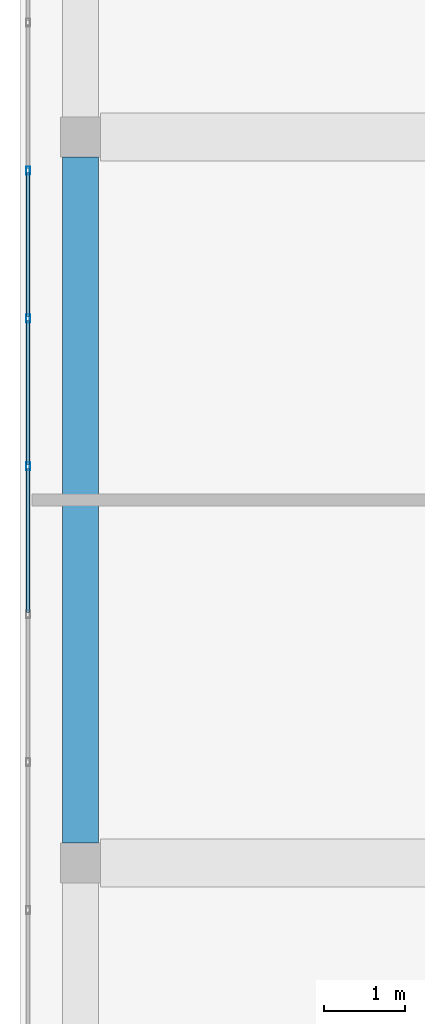
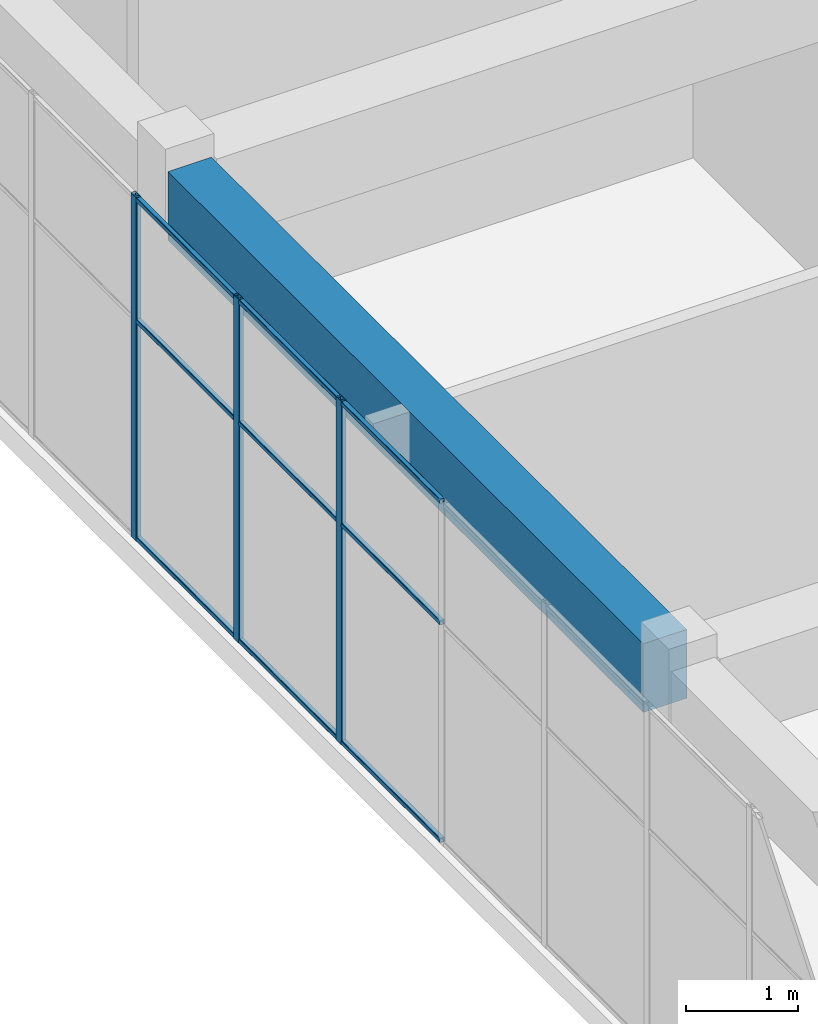
# One storey, part 12 of 34: 12 members, 1 beam, 1 element without a shape of its own.
"""IFC4 building model written with IfcOpenShell, lengths in metres."""

from ifc_helpers import new_model, si_unit, direction, frame, origin, origin_2d, place, context, subcontext, project, spatial, rectangle, hollow_rectangle, extrude, material, layer, layer_set, material_profile, profile_set, type_object, element, aggregate, save


model = new_model("IFC4")

# Units and contexts
model_context = context("Model", 3, precision=1e-05, world=origin(), true_north=direction((0.0, 1.0)))
body_context = subcontext(model_context, "Body", "Model", "MODEL_VIEW")
ifc_project = project(units=[si_unit("LENGTHUNIT", "METRE"), si_unit("AREAUNIT", "SQUARE_METRE"), si_unit("VOLUMEUNIT", "CUBIC_METRE"), si_unit("PLANEANGLEUNIT", "RADIAN"), si_unit("MASSUNIT", "GRAM", prefix="KILO")], contexts=[model_context])

# Site, building, storey
site_placement = place(None, origin())
site = spatial("IfcSite", under=ifc_project, at=site_placement, CompositionType="ELEMENT")
building_placement = place(site_placement, origin())
building = spatial("IfcBuilding", under=site, at=building_placement, Name="Tuart Plaza Theatre", CompositionType="ELEMENT")
storey_placement = place(building_placement, frame((0.0, 0.0, 57.5)))
storey = spatial("IfcBuildingStorey", under=building, at=storey_placement, Name="L14", CompositionType="ELEMENT", Elevation=57.5)

# Beam
ifc_material_1 = material(Name="Concrete N40 (40 MPa)", Category="concrete")
ifc_material_profile_1 = material_profile(ifc_material_1, rectangle(XDim=0.449951171875, YDim=0.75, at=origin_2d()), Name="BEAM 450x750 Concrete N40 (40 MPa)")
ifc_profile_set_1 = profile_set([ifc_material_profile_1], Name="Concrete N40 (40 MPa)")
beam_type = type_object("IfcBeamType", Name="BEAM 450x750 Concrete N40 (40 MPa)", PredefinedType="BEAM", material=ifc_profile_set_1)
beam_placement = place(storey_placement, frame((114.0, 74.25, 3.375), z_axis=(0.0, 1.0, 0.0), x_axis=(-1.0, 0.0, 0.0)))
element("IfcBeam", 1, at=beam_placement, inside=storey, type_object=beam_type, Name="RB320", PredefinedType="BEAM", context=body_context, shape_type="SweptSolid", body=[
    extrude(rectangle(XDim=0.449951171875, YDim=0.75, at=origin_2d()), origin(), (0.0, 0.0, 1.0), 8.5),
])

# Curtain wall, members
ifc_material_2 = material(Name="Aluminium and glass", Category="aluminium")
ifc_layer = layer(ifc_material_2, 0.10009765625)
ifc_layer_set = layer_set([ifc_layer], Name="CURTAIN WALL 1800 module")
curtain_wall_type = type_object("IfcCurtainWallType", Name="CURTAIN WALL 1800 module", PredefinedType="NOTDEFINED", material=ifc_layer_set)
curtain_wall_placement = place(storey_placement, origin())
curtain_wall = element("IfcCurtainWall", 2, at=curtain_wall_placement, inside=storey, type_object=curtain_wall_type, Name="CW118", PredefinedType="NOTDEFINED")
ifc_material_3 = material(Name="Aluminium 6063-T5", Category="aluminium")
ifc_material_profile_2 = material_profile(ifc_material_3, hollow_rectangle(XDim=0.050048828125, YDim=0.10009765625, WallThickness=0.00390625, InnerFilletRadius=0.00390625, OuterFilletRadius=0.008056640625, at=origin_2d()), Name="RHS 100x50x4")
ifc_profile_set_2 = profile_set([ifc_material_profile_2], Name="Aluminium 6063-T5")
member_type_1 = type_object("IfcMemberType", Name="MULLION RHS 100x50x4", PredefinedType="MULLION", material=ifc_profile_set_2)
member_1_placement = place(storey_placement, frame((113.35009765625, 82.583251953125, 0.0), z_axis=(0.0, 0.0, 1.0), x_axis=(1.0, 0.0, 0.0)))
member_1 = element("IfcMember", 3, at=member_1_placement, type_object=member_type_1, Name="CW118 mullion 9", PredefinedType="MULLION", context=body_context, shape_type="SweptSolid", body=[
    extrude(hollow_rectangle(XDim=0.050048828125, YDim=0.10009765625, WallThickness=0.00390625, InnerFilletRadius=0.00390625, OuterFilletRadius=0.008056640625, at=origin_2d()), origin(), (0.0, 0.0, 1.0), 3.75),
])
member_2_placement = place(storey_placement, frame((113.35009765625, 80.75, 0.0), z_axis=(0.0, 0.0, 1.0), x_axis=(1.0, 0.0, 0.0)))
member_2 = element("IfcMember", 4, at=member_2_placement, type_object=member_type_1, Name="CW118 mullion 10", PredefinedType="MULLION", context=body_context, shape_type="SweptSolid", body=[
    extrude(hollow_rectangle(XDim=0.050048828125, YDim=0.10009765625, WallThickness=0.00390625, InnerFilletRadius=0.00390625, OuterFilletRadius=0.008056640625, at=origin_2d()), origin(), (0.0, 0.0, 1.0), 3.75),
])
member_3_placement = place(storey_placement, frame((113.35009765625, 78.916748046875, 0.0), z_axis=(0.0, 0.0, 1.0), x_axis=(1.0, 0.0, 0.0)))
member_3 = element("IfcMember", 5, at=member_3_placement, type_object=member_type_1, Name="CW118 mullion 11", PredefinedType="MULLION", context=body_context, shape_type="SweptSolid", body=[
    extrude(hollow_rectangle(XDim=0.050048828125, YDim=0.10009765625, WallThickness=0.00390625, InnerFilletRadius=0.00390625, OuterFilletRadius=0.008056640625, at=origin_2d()), origin(), (0.0, 0.0, 1.0), 3.75),
])
ifc_material_4 = material(Name="Aluminium 6063-T5", Category="aluminium")
ifc_material_profile_3 = material_profile(ifc_material_4, hollow_rectangle(XDim=0.050048828125, YDim=0.050048828125, WallThickness=0.00390625, InnerFilletRadius=0.00390625, OuterFilletRadius=0.008056640625, at=origin_2d()), Name="RHS 50x50x4")
ifc_profile_set_3 = profile_set([ifc_material_profile_3], Name="Aluminium 6063-T5")
member_type_2 = type_object("IfcMemberType", Name="TRANSOM RHS 50x50x4", PredefinedType="USERDEFINED", material=ifc_profile_set_3)
member_4_placement = place(storey_placement, frame((113.35009765625, 82.558349609375, 0.02490234375), z_axis=(0.0, -1.0, 0.0), x_axis=(1.0, 0.0, 0.0)))
member_4 = element("IfcMember", 6, at=member_4_placement, type_object=member_type_2, Name="CW118 transom 9.1", ObjectType="TRANSOM", PredefinedType="USERDEFINED", context=body_context, shape_type="SweptSolid", body=[
    extrude(hollow_rectangle(XDim=0.050048828125, YDim=0.050048828125, WallThickness=0.00390625, InnerFilletRadius=0.00390625, OuterFilletRadius=0.008056640625, at=origin_2d()), origin(), (0.0, 0.0, 1.0), 1.783447265625),
])
member_5_placement = place(storey_placement, frame((113.35009765625, 82.558349609375, 2.39990234375), z_axis=(0.0, -1.0, 0.0), x_axis=(1.0, 0.0, 0.0)))
member_5 = element("IfcMember", 7, at=member_5_placement, type_object=member_type_2, Name="CW118 transom 9.2", ObjectType="TRANSOM", PredefinedType="USERDEFINED", context=body_context, shape_type="SweptSolid", body=[
    extrude(hollow_rectangle(XDim=0.050048828125, YDim=0.050048828125, WallThickness=0.00390625, InnerFilletRadius=0.00390625, OuterFilletRadius=0.008056640625, at=origin_2d()), origin(), (0.0, 0.0, 1.0), 1.783447265625),
])
member_6_placement = place(storey_placement, frame((113.35009765625, 82.558349609375, 3.72509765625), z_axis=(0.0, -1.0, 0.0), x_axis=(1.0, 0.0, 0.0)))
member_6 = element("IfcMember", 8, at=member_6_placement, type_object=member_type_2, Name="CW118 transom 9.3", ObjectType="TRANSOM", PredefinedType="USERDEFINED", context=body_context, shape_type="SweptSolid", body=[
    extrude(hollow_rectangle(XDim=0.050048828125, YDim=0.050048828125, WallThickness=0.00390625, InnerFilletRadius=0.00390625, OuterFilletRadius=0.008056640625, at=origin_2d()), origin(), (0.0, 0.0, 1.0), 1.783447265625),
])
member_7_placement = place(storey_placement, frame((113.35009765625, 80.72509765625, 0.02490234375), z_axis=(0.0, -1.0, 0.0), x_axis=(1.0, 0.0, 0.0)))
member_7 = element("IfcMember", 9, at=member_7_placement, type_object=member_type_2, Name="CW118 transom 10.1", ObjectType="TRANSOM", PredefinedType="USERDEFINED", context=body_context, shape_type="SweptSolid", body=[
    extrude(hollow_rectangle(XDim=0.050048828125, YDim=0.050048828125, WallThickness=0.00390625, InnerFilletRadius=0.00390625, OuterFilletRadius=0.008056640625, at=origin_2d()), origin(), (0.0, 0.0, 1.0), 1.783447265625),
])
member_8_placement = place(storey_placement, frame((113.35009765625, 80.72509765625, 2.39990234375), z_axis=(0.0, -1.0, 0.0), x_axis=(1.0, 0.0, 0.0)))
member_8 = element("IfcMember", 10, at=member_8_placement, type_object=member_type_2, Name="CW118 transom 10.2", ObjectType="TRANSOM", PredefinedType="USERDEFINED", context=body_context, shape_type="SweptSolid", body=[
    extrude(hollow_rectangle(XDim=0.050048828125, YDim=0.050048828125, WallThickness=0.00390625, InnerFilletRadius=0.00390625, OuterFilletRadius=0.008056640625, at=origin_2d()), origin(), (0.0, 0.0, 1.0), 1.783447265625),
])
member_9_placement = place(storey_placement, frame((113.35009765625, 80.72509765625, 3.72509765625), z_axis=(0.0, -1.0, 0.0), x_axis=(1.0, 0.0, 0.0)))
member_9 = element("IfcMember", 11, at=member_9_placement, type_object=member_type_2, Name="CW118 transom 10.3", ObjectType="TRANSOM", PredefinedType="USERDEFINED", context=body_context, shape_type="SweptSolid", body=[
    extrude(hollow_rectangle(XDim=0.050048828125, YDim=0.050048828125, WallThickness=0.00390625, InnerFilletRadius=0.00390625, OuterFilletRadius=0.008056640625, at=origin_2d()), origin(), (0.0, 0.0, 1.0), 1.783447265625),
])
member_10_placement = place(storey_placement, frame((113.35009765625, 78.8916015625, 0.02490234375), z_axis=(0.0, -1.0, 0.0), x_axis=(1.0, 0.0, 0.0)))
member_10 = element("IfcMember", 12, at=member_10_placement, type_object=member_type_2, Name="CW118 transom 11.1", ObjectType="TRANSOM", PredefinedType="USERDEFINED", context=body_context, shape_type="SweptSolid", body=[
    extrude(hollow_rectangle(XDim=0.050048828125, YDim=0.050048828125, WallThickness=0.00390625, InnerFilletRadius=0.00390625, OuterFilletRadius=0.008056640625, at=origin_2d()), origin(), (0.0, 0.0, 1.0), 1.783203125),
])
member_11_placement = place(storey_placement, frame((113.35009765625, 78.8916015625, 2.39990234375), z_axis=(0.0, -1.0, 0.0), x_axis=(1.0, 0.0, 0.0)))
member_11 = element("IfcMember", 13, at=member_11_placement, type_object=member_type_2, Name="CW118 transom 11.2", ObjectType="TRANSOM", PredefinedType="USERDEFINED", context=body_context, shape_type="SweptSolid", body=[
    extrude(hollow_rectangle(XDim=0.050048828125, YDim=0.050048828125, WallThickness=0.00390625, InnerFilletRadius=0.00390625, OuterFilletRadius=0.008056640625, at=origin_2d()), origin(), (0.0, 0.0, 1.0), 1.783203125),
])
member_12_placement = place(storey_placement, frame((113.35009765625, 78.8916015625, 3.72509765625), z_axis=(0.0, -1.0, 0.0), x_axis=(1.0, 0.0, 0.0)))
member_12 = element("IfcMember", 14, at=member_12_placement, type_object=member_type_2, Name="CW118 transom 11.3", ObjectType="TRANSOM", PredefinedType="USERDEFINED", context=body_context, shape_type="SweptSolid", body=[
    extrude(hollow_rectangle(XDim=0.050048828125, YDim=0.050048828125, WallThickness=0.00390625, InnerFilletRadius=0.00390625, OuterFilletRadius=0.008056640625, at=origin_2d()), origin(), (0.0, 0.0, 1.0), 1.783203125),
])
aggregate(curtain_wall, [member_1, member_2, member_3, member_4, member_5, member_6, member_7, member_8, member_9, member_10, member_11, member_12])

save(model, "model.ifc")
